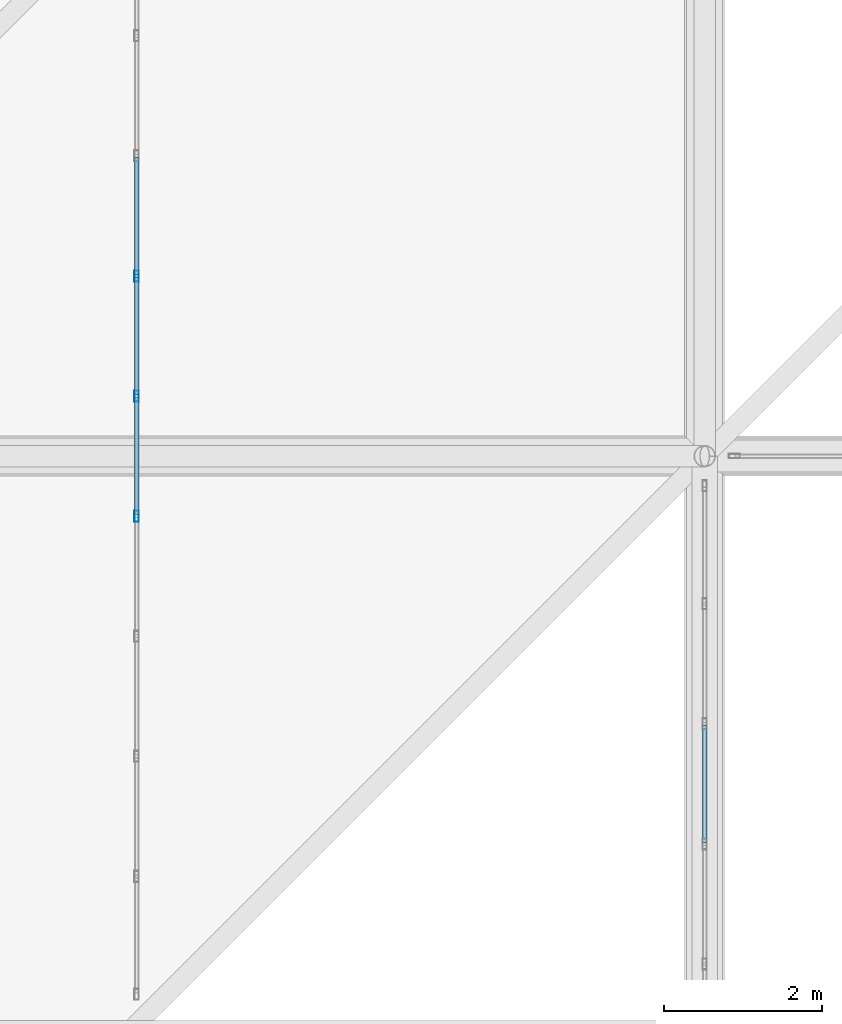
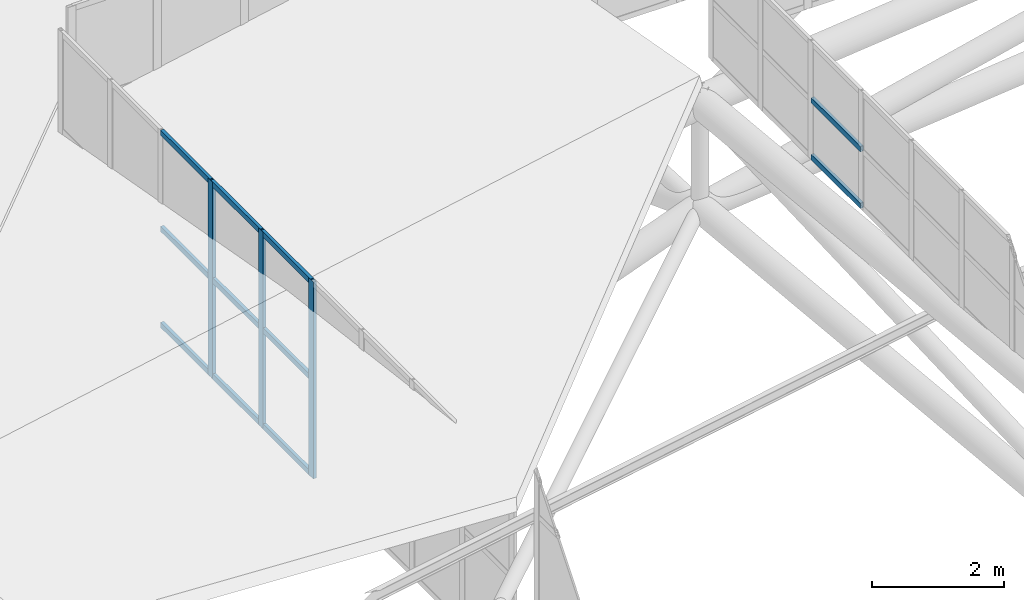
# One storey, part 218 of 397: 14 members, 2 elements without a shape of their own.
"""IFC4 building model written with IfcOpenShell, lengths in metres."""

import ifcopenshell
import ifcopenshell.guid

model = None  # the IFC model being written
_history = None  # IfcOwnerHistory: only IFC2X3 demands one
_inside = {}  # id of a spatial element -> (the spatial element, [elements in it])
_under = {}  # id of a project, library or spatial element -> (it, [spatial elements below it])
_declared = {}  # id of a project -> (the project, [libraries it declares])
_typed = {}  # id of a type object -> (the type object, [elements of that type])
_made_of = {}  # id of a material, layer set ... -> (it, [elements and type objects made of it])


def new_model(schema):
    """Start an empty IFC model of exactly this schema.

    Asked for "IFC4X3", IfcOpenShell would pick the latest addendum, in which some entities
    have other attributes; the version numbers below select the first issue.
    IFC2X3 requires an IfcOwnerHistory on every rooted entity: one is made here for all.
    """
    global model, _history
    if schema == "IFC4X3":
        model = ifcopenshell.file(schema_version=(4, 3, 0, 0))
    else:
        model = ifcopenshell.file(schema=schema)
    _inside.clear()
    _under.clear()
    _declared.clear()
    _typed.clear()
    _made_of.clear()
    _history = None
    if model.schema == "IFC2X3":
        org = make("IfcOrganization", Name="unknown")
        user = make(
            "IfcPersonAndOrganization",
            ThePerson=make("IfcPerson", FamilyName="unknown"),
            TheOrganization=org,
        )
        app = make(
            "IfcApplication",
            ApplicationDeveloper=org,
            Version="unknown",
            ApplicationFullName="unknown",
            ApplicationIdentifier="unknown",
        )
        _history = make(
            "IfcOwnerHistory",
            OwningUser=user,
            OwningApplication=app,
            ChangeAction="ADDED",
            CreationDate=0,
        )
    return model


def make(cls, **values):
    """One entity of the class cls with the attributes given. An attribute that is None is left unset."""
    return model.create_entity(
        cls, **{name: value for name, value in values.items() if value is not None}
    )


def rooted(cls, **values):
    """An entity with a GlobalId (a new one), such as an element, a storey or a relation."""
    return make(cls, GlobalId=ifcopenshell.guid.new(), OwnerHistory=_history, **values)


def si_unit(unit_type, name, prefix=None):
    """IfcSIUnit, for example si_unit("LENGTHUNIT", "METRE", prefix="MILLI")."""
    return make("IfcSIUnit", UnitType=unit_type, Prefix=prefix, Name=name)


def assignment(units):
    """IfcUnitAssignment: the units of a project."""
    return None if units is None else make("IfcUnitAssignment", Units=units)


def point(xyz):
    """IfcCartesianPoint."""
    return None if xyz is None else make("IfcCartesianPoint", Coordinates=xyz)


def direction(xyz):
    """IfcDirection."""
    return None if xyz is None else make("IfcDirection", DirectionRatios=xyz)


def frame(location, z_axis=None, x_axis=None):
    """IfcAxis2Placement3D, a coordinate frame: its origin and axes. An axis left out is left unset."""
    return make(
        "IfcAxis2Placement3D",
        Location=point(location),
        Axis=direction(z_axis),
        RefDirection=direction(x_axis),
    )


def frame_2d(location, x_axis=None):
    """IfcAxis2Placement2D, a coordinate frame in the plane: its origin and x axis."""
    return make(
        "IfcAxis2Placement2D", Location=point(location), RefDirection=direction(x_axis)
    )


def origin():
    """The frame at (0, 0, 0) with its axes left unset."""
    return frame((0.0, 0.0, 0.0))


def origin_2d():
    """The frame at (0, 0) in the plane with its x axis left unset."""
    return frame_2d((0.0, 0.0))


def place(relative_to, where):
    """IfcLocalPlacement: puts the frame where relative to a parent placement (None: the world)."""
    return make(
        "IfcLocalPlacement", PlacementRelTo=relative_to, RelativePlacement=where
    )


def context(
    kind, dimensions, precision=None, world=None, true_north=None, identifier=None
):
    """IfcGeometricRepresentationContext, for example the 3D "Model" context."""
    return make(
        "IfcGeometricRepresentationContext",
        ContextIdentifier=identifier,
        ContextType=kind,
        CoordinateSpaceDimension=dimensions,
        Precision=precision,
        WorldCoordinateSystem=world,
        TrueNorth=true_north,
    )


def subcontext(parent, identifier, kind, view, scale=None):
    """IfcGeometricRepresentationSubContext, for example "Body" below "Model"."""
    return make(
        "IfcGeometricRepresentationSubContext",
        ContextIdentifier=identifier,
        ContextType=kind,
        ParentContext=parent,
        TargetScale=scale,
        TargetView=view,
    )


def project(units=None, contexts=None):
    """IfcProject with its units and contexts."""
    return rooted(
        "IfcProject",
        Name="project",
        RepresentationContexts=contexts,
        UnitsInContext=assignment(units),
    )


def spatial(cls, under=None, at=None, **own):
    """A site, building, storey or space (cls), placed at a placement, below another one or the project."""
    s = rooted(cls, ObjectPlacement=at, **own)
    if under is not None:
        _under.setdefault(under.id(), (under, []))[1].append(s)
    return s


def profile(cls, at=None, kind="AREA", **sizes):
    """A parametric profile (cls). Its sizes go by their IFC names, for example OverallWidth=200.0."""
    return make(cls, ProfileType=kind, Position=at, **sizes)


def hollow_rectangle(**sizes):
    """IfcRectangleHollowProfileDef."""
    return profile("IfcRectangleHollowProfileDef", **sizes)


def extrude(swept, where, along, depth):
    """IfcExtrudedAreaSolid: the profile swept, set in the frame where, extruded along a direction by depth."""
    return make(
        "IfcExtrudedAreaSolid",
        SweptArea=swept,
        Position=where,
        ExtrudedDirection=direction(along),
        Depth=depth,
    )


def shape(context_of_items, identifier, shape_type, items):
    """IfcShapeRepresentation: the items that make up one representation, for example the "Body"."""
    return make(
        "IfcShapeRepresentation",
        ContextOfItems=context_of_items,
        RepresentationIdentifier=identifier,
        RepresentationType=shape_type,
        Items=items,
    )


def material(Name=None, Category=None):
    """IfcMaterial."""
    return make("IfcMaterial", Name=Name, Category=Category)


def material_profile(
    of_material, cross_section, Name=None, Category=None, Priority=None
):
    """IfcMaterialProfile: a cross section and its material."""
    return make(
        "IfcMaterialProfile",
        Name=Name,
        Material=of_material,
        Profile=cross_section,
        Priority=Priority,
        Category=Category,
    )


def profile_set(profiles, Name=None, composite=None):
    """IfcMaterialProfileSet."""
    return make(
        "IfcMaterialProfileSet",
        Name=Name,
        MaterialProfiles=profiles,
        CompositeProfile=composite,
    )


def made_of(thing, what):
    """Note that an element or type object is made of a material, layer set ...; save() writes the relation."""
    if what is not None:
        _made_of.setdefault(what.id(), (what, []))[1].append(thing)
    return thing


def type_object(cls, material=None, **own):
    """A type object (cls), such as IfcWallType, which elements share."""
    return made_of(rooted(cls, **own), material)


def element(
    cls,
    number,
    at=None,
    inside=None,
    cuts=None,
    type_object=None,
    material=None,
    context=None,
    identifier="Body",
    shape_type=None,
    held_by="IfcProductDefinitionShape",
    body=None,
    shapes=None,
    **own,
):
    """One element of the class cls, such as IfcWall. Its Tag is "e" and its number.

    at: its placement. inside: the storey or other place that contains it. cuts: it is an
    opening in that element (IfcRelVoidsElement). A single representation is given by context,
    identifier, shape_type and body (its items); several are given by shapes. held_by: the class
    of the entity that holds the representations. save() writes the other relations.
    """
    e = rooted(cls, Tag="e%d" % number, ObjectPlacement=at, **own)
    if body is not None:
        shapes = [shape(context, identifier, shape_type, body)]
    if shapes is not None:
        e.Representation = make(held_by, Representations=shapes)
    if inside is not None:
        _inside.setdefault(inside.id(), (inside, []))[1].append(e)
    if cuts is not None:
        rooted(
            "IfcRelVoidsElement", RelatingBuildingElement=cuts, RelatedOpeningElement=e
        )
    if type_object is not None:
        _typed.setdefault(type_object.id(), (type_object, []))[1].append(e)
    return made_of(e, material)


def aggregate(whole, parts):
    """IfcRelAggregates: a whole, such as a stair, and the parts it consists of."""
    return rooted("IfcRelAggregates", RelatingObject=whole, RelatedObjects=parts)


def save(model, path):
    """Write the relations noted so far, then the file.

    IfcRelAggregates (storeys below a building ...), IfcRelContainedInSpatialStructure (elements
    in a storey), IfcRelDefinesByType, IfcRelAssociatesMaterial and IfcRelDeclares: one each for
    every whole, place, type object, material and project.
    """
    for whole, parts in _under.values():
        aggregate(whole, parts)
    for where, things in _inside.values():
        rooted(
            "IfcRelContainedInSpatialStructure",
            RelatedElements=things,
            RelatingStructure=where,
        )
    for kind, things in _typed.values():
        rooted("IfcRelDefinesByType", RelatedObjects=things, RelatingType=kind)
    for what, things in _made_of.values():
        rooted("IfcRelAssociatesMaterial", RelatedObjects=things, RelatingMaterial=what)
    for by, libraries in _declared.values():
        rooted("IfcRelDeclares", RelatingContext=by, RelatedDefinitions=libraries)
    model.write(path)


model = new_model("IFC4")

# Units and contexts
model_context = context("Model", 3, precision=1e-05, world=origin(), true_north=direction((0.0, 1.0)))
body_context = subcontext(model_context, "Body", "Model", "MODEL_VIEW")
ifc_project = project(units=[si_unit("LENGTHUNIT", "METRE"), si_unit("AREAUNIT", "SQUARE_METRE"), si_unit("VOLUMEUNIT", "CUBIC_METRE"), si_unit("PLANEANGLEUNIT", "RADIAN"), si_unit("MASSUNIT", "GRAM", prefix="KILO")], contexts=[model_context])

# Site, building, storey
site_placement = place(None, origin())
site = spatial("IfcSite", under=ifc_project, at=site_placement, CompositionType="ELEMENT")
building_placement = place(site_placement, origin())
building = spatial("IfcBuilding", under=site, at=building_placement, Name="Qandorah Velis Arena", CompositionType="ELEMENT")
storey_placement = place(building_placement, frame((0.0, 0.0, 27.5)))
storey = spatial("IfcBuildingStorey", under=building, at=storey_placement, Name="RF", CompositionType="ELEMENT", Elevation=27.5)

# Curtain wall, members
ifc_material_1 = material(Name="Solar-control low-E double glazing", Category="glass")
curtain_wall_type_1 = type_object("IfcCurtainWallType", Name="ARC-CW-SYS12", PredefinedType="USERDEFINED", material=ifc_material_1)
curtain_wall_1_placement = place(storey_placement, origin())
curtain_wall_1 = element("IfcCurtainWall", 1, at=curtain_wall_1_placement, inside=storey, type_object=curtain_wall_type_1, Name="Unitised curtain wall MON-1-6", ObjectType="UNITISED CURTAIN WALL", PredefinedType="USERDEFINED")
ifc_material_2 = material(Name="Champagne-bronze anodized aluminium 6063-T6", Category="aluminium")
ifc_material_profile_1 = material_profile(ifc_material_2, hollow_rectangle(XDim=0.054931640625, YDim=0.139892578125, WallThickness=0.0029296875, at=origin_2d()), Name="ALU MULLION 55x140")
ifc_profile_set_1 = profile_set([ifc_material_profile_1], Name="Champagne-bronze anodized aluminium 6063-T6")
member_type_1 = type_object("IfcMemberType", Name="ARC-CWM-140", PredefinedType="MULLION", material=ifc_profile_set_1)
member_1_placement = place(storey_placement, frame((21.60009765625, 100.038818359375, 3.5263671875), z_axis=(0.0, 0.0, 1.0), x_axis=(-1.0, 0.0, 0.0)))
member_1 = element("IfcMember", 2, at=member_1_placement, type_object=member_type_1, Name="CW12 mullion 5", PredefinedType="MULLION", context=body_context, shape_type="SweptSolid", body=[
    extrude(hollow_rectangle(XDim=0.054931640625, YDim=0.139892578125, WallThickness=0.0029296875, at=origin_2d()), origin(), (0.0, 0.0, 1.0), 3.630126953125),
])
member_2_placement = place(storey_placement, frame((21.60009765625, 101.56103515625, 3.5263671875), z_axis=(0.0, 0.0, 1.0), x_axis=(-1.0, 0.0, 0.0)))
member_2 = element("IfcMember", 3, at=member_2_placement, type_object=member_type_1, Name="CW12 mullion 6", PredefinedType="MULLION", context=body_context, shape_type="SweptSolid", body=[
    extrude(hollow_rectangle(XDim=0.054931640625, YDim=0.139892578125, WallThickness=0.0029296875, at=origin_2d()), origin(), (0.0, 0.0, 1.0), 3.630126953125),
])
member_3_placement = place(storey_placement, frame((21.60009765625, 103.083251953125, 3.5263671875), z_axis=(0.0, 0.0, 1.0), x_axis=(-1.0, 0.0, 0.0)))
member_3 = element("IfcMember", 4, at=member_3_placement, type_object=member_type_1, Name="CW12 mullion 7", PredefinedType="MULLION", context=body_context, shape_type="SweptSolid", body=[
    extrude(hollow_rectangle(XDim=0.054931640625, YDim=0.139892578125, WallThickness=0.0029296875, at=origin_2d()), origin(), (0.0, 0.0, 1.0), 3.630126953125),
])
ifc_material_profile_2 = material_profile(ifc_material_2, hollow_rectangle(XDim=0.054931640625, YDim=0.10009765625, WallThickness=0.0029296875, at=origin_2d()), Name="ALU TRANSOM 55x100")
ifc_profile_set_2 = profile_set([ifc_material_profile_2], Name="Champagne-bronze anodized aluminium 6063-T6")
member_type_2 = type_object("IfcMemberType", Name="ARC-CWT-100", PredefinedType="USERDEFINED", material=ifc_profile_set_2)
member_4_placement = place(storey_placement, frame((21.60009765625, 100.054443359375, 3.56884765625), z_axis=(0.0, 1.0, 0.0), x_axis=(-1.0, 0.0, 0.0)))
member_4 = element("IfcMember", 5, at=member_4_placement, type_object=member_type_2, Name="CW12 transom 5.1", ObjectType="TRANSOM", PredefinedType="USERDEFINED", context=body_context, shape_type="SweptSolid", body=[
    extrude(hollow_rectangle(XDim=0.054931640625, YDim=0.10009765625, WallThickness=0.0029296875, at=origin_2d()), origin(), (0.0, 0.0, 1.0), 1.4912109375),
])
member_5_placement = place(storey_placement, frame((21.60009765625, 100.054443359375, 5.34130859375), z_axis=(0.0, 1.0, 0.0), x_axis=(-1.0, 0.0, 0.0)))
member_5 = element("IfcMember", 6, at=member_5_placement, type_object=member_type_2, Name="CW12 transom 5.2", ObjectType="TRANSOM", PredefinedType="USERDEFINED", context=body_context, shape_type="SweptSolid", body=[
    extrude(hollow_rectangle(XDim=0.054931640625, YDim=0.10009765625, WallThickness=0.0029296875, at=origin_2d()), origin(), (0.0, 0.0, 1.0), 1.4912109375),
])
member_6_placement = place(storey_placement, frame((21.60009765625, 100.054443359375, 7.114013671875), z_axis=(0.0, 1.0, 0.0), x_axis=(-1.0, 0.0, 0.0)))
member_6 = element("IfcMember", 7, at=member_6_placement, type_object=member_type_2, Name="CW12 transom 5.3", ObjectType="TRANSOM", PredefinedType="USERDEFINED", context=body_context, shape_type="SweptSolid", body=[
    extrude(hollow_rectangle(XDim=0.054931640625, YDim=0.10009765625, WallThickness=0.0029296875, at=origin_2d()), origin(), (0.0, 0.0, 1.0), 1.4912109375),
])
member_7_placement = place(storey_placement, frame((21.60009765625, 101.57666015625, 3.56884765625), z_axis=(0.0, 1.0, 0.0), x_axis=(-1.0, 0.0, 0.0)))
member_7 = element("IfcMember", 8, at=member_7_placement, type_object=member_type_2, Name="CW12 transom 6.1", ObjectType="TRANSOM", PredefinedType="USERDEFINED", context=body_context, shape_type="SweptSolid", body=[
    extrude(hollow_rectangle(XDim=0.054931640625, YDim=0.10009765625, WallThickness=0.0029296875, at=origin_2d()), origin(), (0.0, 0.0, 1.0), 1.4912109375),
])
member_8_placement = place(storey_placement, frame((21.60009765625, 101.57666015625, 5.34130859375), z_axis=(0.0, 1.0, 0.0), x_axis=(-1.0, 0.0, 0.0)))
member_8 = element("IfcMember", 9, at=member_8_placement, type_object=member_type_2, Name="CW12 transom 6.2", ObjectType="TRANSOM", PredefinedType="USERDEFINED", context=body_context, shape_type="SweptSolid", body=[
    extrude(hollow_rectangle(XDim=0.054931640625, YDim=0.10009765625, WallThickness=0.0029296875, at=origin_2d()), origin(), (0.0, 0.0, 1.0), 1.4912109375),
])
member_9_placement = place(storey_placement, frame((21.60009765625, 101.57666015625, 7.114013671875), z_axis=(0.0, 1.0, 0.0), x_axis=(-1.0, 0.0, 0.0)))
member_9 = element("IfcMember", 10, at=member_9_placement, type_object=member_type_2, Name="CW12 transom 6.3", ObjectType="TRANSOM", PredefinedType="USERDEFINED", context=body_context, shape_type="SweptSolid", body=[
    extrude(hollow_rectangle(XDim=0.054931640625, YDim=0.10009765625, WallThickness=0.0029296875, at=origin_2d()), origin(), (0.0, 0.0, 1.0), 1.4912109375),
])
member_10_placement = place(storey_placement, frame((21.60009765625, 103.098876953125, 3.56884765625), z_axis=(0.0, 1.0, 0.0), x_axis=(-1.0, 0.0, 0.0)))
member_10 = element("IfcMember", 11, at=member_10_placement, type_object=member_type_2, Name="CW12 transom 7.1", ObjectType="TRANSOM", PredefinedType="USERDEFINED", context=body_context, shape_type="SweptSolid", body=[
    extrude(hollow_rectangle(XDim=0.054931640625, YDim=0.10009765625, WallThickness=0.0029296875, at=origin_2d()), origin(), (0.0, 0.0, 1.0), 1.4912109375),
])
member_11_placement = place(storey_placement, frame((21.60009765625, 103.098876953125, 5.34130859375), z_axis=(0.0, 1.0, 0.0), x_axis=(-1.0, 0.0, 0.0)))
member_11 = element("IfcMember", 12, at=member_11_placement, type_object=member_type_2, Name="CW12 transom 7.2", ObjectType="TRANSOM", PredefinedType="USERDEFINED", context=body_context, shape_type="SweptSolid", body=[
    extrude(hollow_rectangle(XDim=0.054931640625, YDim=0.10009765625, WallThickness=0.0029296875, at=origin_2d()), origin(), (0.0, 0.0, 1.0), 1.4912109375),
])
member_12_placement = place(storey_placement, frame((21.60009765625, 103.098876953125, 7.114013671875), z_axis=(0.0, 1.0, 0.0), x_axis=(-1.0, 0.0, 0.0)))
member_12 = element("IfcMember", 13, at=member_12_placement, type_object=member_type_2, Name="CW12 transom 7.3", ObjectType="TRANSOM", PredefinedType="USERDEFINED", context=body_context, shape_type="SweptSolid", body=[
    extrude(hollow_rectangle(XDim=0.054931640625, YDim=0.10009765625, WallThickness=0.0029296875, at=origin_2d()), origin(), (0.0, 0.0, 1.0), 1.4912109375),
])
aggregate(curtain_wall_1, [member_1, member_2, member_3, member_4, member_5, member_6, member_7, member_8, member_9, member_10, member_11, member_12])

curtain_wall_type_2 = type_object("IfcCurtainWallType", Name="ARC-CW-SYS10", PredefinedType="USERDEFINED", material=ifc_material_1)
curtain_wall_2_placement = place(storey_placement, origin())
curtain_wall_2 = element("IfcCurtainWall", 14, at=curtain_wall_2_placement, inside=storey, type_object=curtain_wall_type_2, Name="Unitised curtain wall OCULUS-1-5", ObjectType="UNITISED CURTAIN WALL", PredefinedType="USERDEFINED")
member_13_placement = place(storey_placement, frame((28.800048828125, 95.898681640625, 8.513427734375), z_axis=(0.0, 1.0, 0.0), x_axis=(-1.0, 0.0, 0.0)))
member_13 = element("IfcMember", 15, at=member_13_placement, type_object=member_type_2, Name="CW10 transom 7.1", ObjectType="TRANSOM", PredefinedType="USERDEFINED", context=body_context, shape_type="SweptSolid", body=[
    extrude(hollow_rectangle(XDim=0.054931640625, YDim=0.10009765625, WallThickness=0.0029296875, at=origin_2d()), origin(), (0.0, 0.0, 1.0), 1.491455078125),
])
member_14_placement = place(storey_placement, frame((28.800048828125, 95.898681640625, 9.56103515625), z_axis=(0.0, 1.0, 0.0), x_axis=(-1.0, 0.0, 0.0)))
member_14 = element("IfcMember", 16, at=member_14_placement, type_object=member_type_2, Name="CW10 transom 7.2", ObjectType="TRANSOM", PredefinedType="USERDEFINED", context=body_context, shape_type="SweptSolid", body=[
    extrude(hollow_rectangle(XDim=0.054931640625, YDim=0.10009765625, WallThickness=0.0029296875, at=origin_2d()), origin(), (0.0, 0.0, 1.0), 1.491455078125),
])
aggregate(curtain_wall_2, [member_13, member_14])

save(model, "model.ifc")
